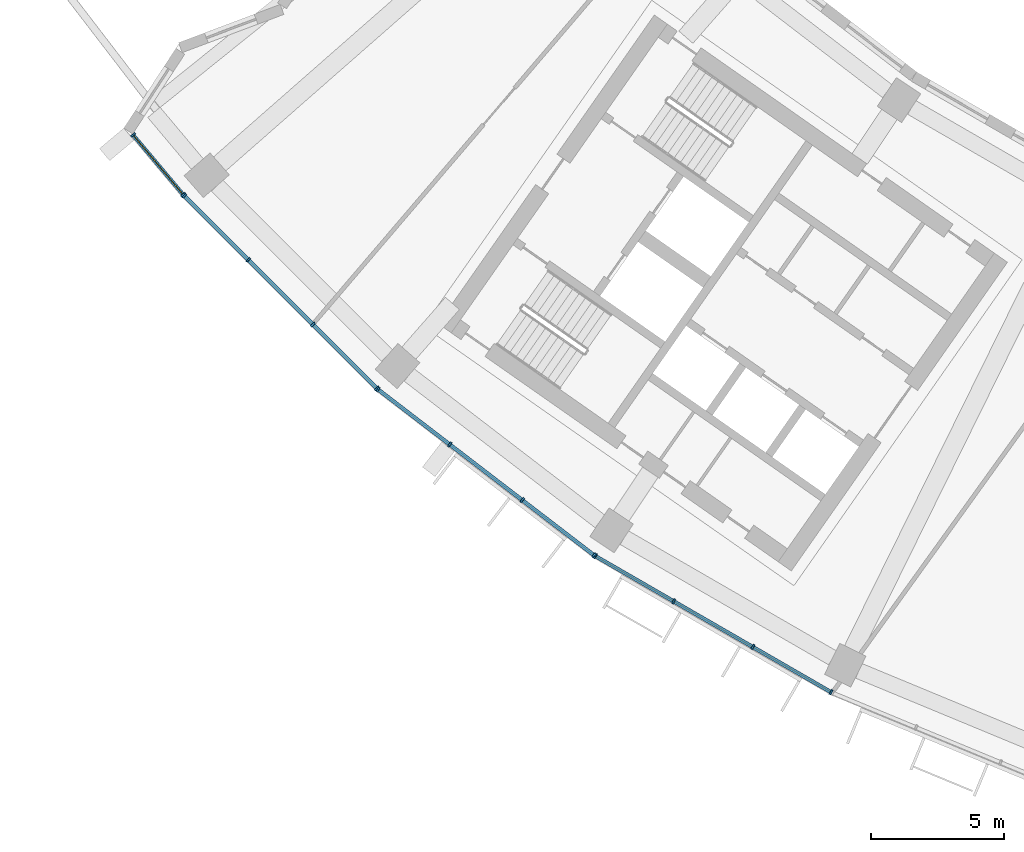
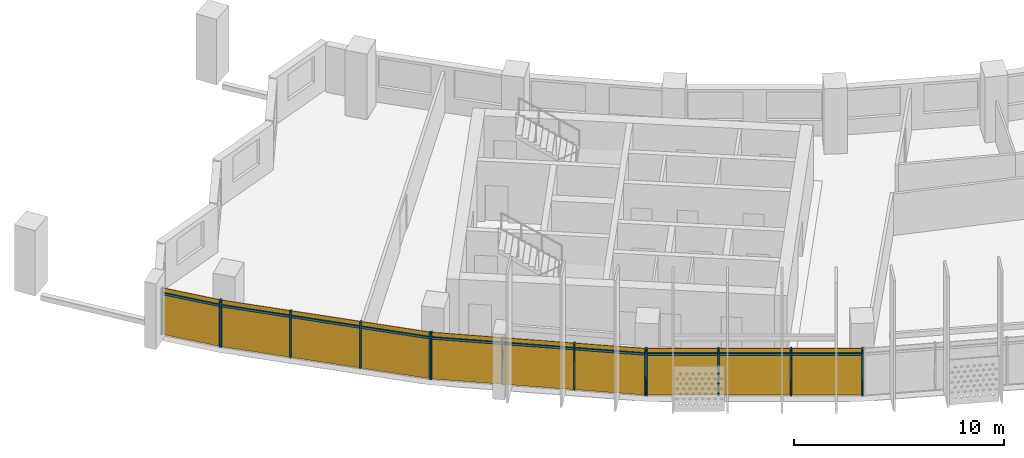
# One storey, part 19 of 27: 24 members, 4 curtain walls.
"""IFC4 building model written with IfcOpenShell, lengths in metres."""

from ifc_helpers import new_model, si_unit, direction, frame, origin, origin_2d, place, context, subcontext, project, spatial, rectangle, extrude, material, material_profile, profile_set, type_object, element, aggregate, save


model = new_model("IFC4")

# Units and contexts
model_context = context("Model", 3, precision=1e-05, world=origin(), true_north=direction((0.0, 1.0)))
body_context = subcontext(model_context, "Body", "Model", "MODEL_VIEW")
ifc_project = project(units=[si_unit("LENGTHUNIT", "METRE"), si_unit("AREAUNIT", "SQUARE_METRE"), si_unit("VOLUMEUNIT", "CUBIC_METRE"), si_unit("PLANEANGLEUNIT", "RADIAN"), si_unit("MASSUNIT", "GRAM", prefix="KILO")], contexts=[model_context])

# Member
ifc_material = material(Name="Aluminium 6063-T6 anodised", Category="aluminium")
ifc_material_profile_1 = material_profile(ifc_material, rectangle(XDim=0.199951171875, YDim=0.070068359375, at=origin_2d()))
ifc_profile_set_1 = profile_set([ifc_material_profile_1], Name="Aluminium 6063-T6 anodised")
member_type_1 = type_object("IfcMemberType", Name="Mullion 70 x 200 aluminium", PredefinedType="MULLION", material=ifc_profile_set_1)
site_placement = place(None, origin())
building_placement = place(site_placement, origin())
storey_placement = place(building_placement, frame((0.0, 0.0, 187.300048828125)))
member_1_placement = place(storey_placement, frame((-61.23291015625, -49.744140625, 0.0), z_axis=(0.0, 0.0, 1.0), x_axis=(0.765841780173, 0.643029056685, 0.0)))
member_1 = element("IfcMember", 1, at=member_1_placement, type_object=member_type_1, Name="e-cw1-L44-out00/M00", PredefinedType="MULLION", context=body_context, shape_type="SweptSolid", body=[
    extrude(rectangle(XDim=0.199951171875, YDim=0.070068359375, at=origin_2d()), origin(), (0.0, 0.0, 1.0), 2.699951171875),
])

member_2_placement = place(storey_placement, frame((-59.34130859375, -51.997314453125, 0.0), z_axis=(0.0, 0.0, 1.0), x_axis=(0.765841780173, 0.643029056685, 0.0)))
member_2 = element("IfcMember", 2, at=member_2_placement, type_object=member_type_1, Name="e-cw1-L44-out00/M01", PredefinedType="MULLION", context=body_context, shape_type="SweptSolid", body=[
    extrude(rectangle(XDim=0.199951171875, YDim=0.070068359375, at=origin_2d()), origin(), (0.0, 0.0, 1.0), 2.699951171875),
])

member_3_placement = place(storey_placement, frame((-59.2998046875, -52.042236328125, 0.0), z_axis=(0.0, 0.0, 1.0), x_axis=(0.707106781187, 0.707106781187, 0.0)))
member_3 = element("IfcMember", 3, at=member_3_placement, type_object=member_type_1, Name="e-cw1-L44-out01/M00", PredefinedType="MULLION", context=body_context, shape_type="SweptSolid", body=[
    extrude(rectangle(XDim=0.199951171875, YDim=0.070068359375, at=origin_2d()), origin(), (0.0, 0.0, 1.0), 2.699951171875),
])

member_4_placement = place(storey_placement, frame((-56.888916015625, -54.453369140625, 0.0), z_axis=(0.0, 0.0, 1.0), x_axis=(0.707106781187, 0.707106781187, 0.0)))
member_4 = element("IfcMember", 4, at=member_4_placement, type_object=member_type_1, Name="e-cw1-L44-out01/M01", PredefinedType="MULLION", context=body_context, shape_type="SweptSolid", body=[
    extrude(rectangle(XDim=0.199951171875, YDim=0.070068359375, at=origin_2d()), origin(), (0.0, 0.0, 1.0), 2.699951171875),
])

member_5_placement = place(storey_placement, frame((-54.453369140625, -56.888916015625, 0.0), z_axis=(0.0, 0.0, 1.0), x_axis=(0.707106781187, 0.707106781187, 0.0)))
member_5 = element("IfcMember", 5, at=member_5_placement, type_object=member_type_1, Name="e-cw1-L44-out01/M02", PredefinedType="MULLION", context=body_context, shape_type="SweptSolid", body=[
    extrude(rectangle(XDim=0.199951171875, YDim=0.070068359375, at=origin_2d()), origin(), (0.0, 0.0, 1.0), 2.699951171875),
])

member_6_placement = place(storey_placement, frame((-52.042236328125, -59.2998046875, 0.0), z_axis=(0.0, 0.0, 1.0), x_axis=(0.707106781187, 0.707106781187, 0.0)))
member_6 = element("IfcMember", 6, at=member_6_placement, type_object=member_type_1, Name="e-cw1-L44-out01/M03", PredefinedType="MULLION", context=body_context, shape_type="SweptSolid", body=[
    extrude(rectangle(XDim=0.199951171875, YDim=0.070068359375, at=origin_2d()), origin(), (0.0, 0.0, 1.0), 2.699951171875),
])

member_7_placement = place(storey_placement, frame((-51.999755859375, -59.33740234375, 0.0), z_axis=(0.0, 0.0, 1.0), x_axis=(0.608761429009, 0.793353340291, 0.0)))
member_7 = element("IfcMember", 7, at=member_7_placement, type_object=member_type_1, Name="e-cw1-L44-out02/M00", PredefinedType="MULLION", context=body_context, shape_type="SweptSolid", body=[
    extrude(rectangle(XDim=0.199951171875, YDim=0.070068359375, at=origin_2d()), origin(), (0.0, 0.0, 1.0), 2.699951171875),
])

member_8_placement = place(storey_placement, frame((-49.294677734375, -61.412841796875, 0.0), z_axis=(0.0, 0.0, 1.0), x_axis=(0.608761429009, 0.793353340291, 0.0)))
member_8 = element("IfcMember", 8, at=member_8_placement, type_object=member_type_1, Name="e-cw1-L44-out02/M01", PredefinedType="MULLION", context=body_context, shape_type="SweptSolid", body=[
    extrude(rectangle(XDim=0.199951171875, YDim=0.070068359375, at=origin_2d()), origin(), (0.0, 0.0, 1.0), 2.699951171875),
])

member_9_placement = place(storey_placement, frame((-46.56201171875, -63.509765625, 0.0), z_axis=(0.0, 0.0, 1.0), x_axis=(0.608761429009, 0.793353340291, 0.0)))
member_9 = element("IfcMember", 9, at=member_9_placement, type_object=member_type_1, Name="e-cw1-L44-out02/M02", PredefinedType="MULLION", context=body_context, shape_type="SweptSolid", body=[
    extrude(rectangle(XDim=0.199951171875, YDim=0.070068359375, at=origin_2d()), origin(), (0.0, 0.0, 1.0), 2.699951171875),
])

member_10_placement = place(storey_placement, frame((-43.85693359375, -65.58544921875, 0.0), z_axis=(0.0, 0.0, 1.0), x_axis=(0.608761429009, 0.793353340291, 0.0)))
member_10 = element("IfcMember", 10, at=member_10_placement, type_object=member_type_1, Name="e-cw1-L44-out02/M03", PredefinedType="MULLION", context=body_context, shape_type="SweptSolid", body=[
    extrude(rectangle(XDim=0.199951171875, YDim=0.070068359375, at=origin_2d()), origin(), (0.0, 0.0, 1.0), 2.699951171875),
])

member_11_placement = place(storey_placement, frame((-43.809814453125, -65.616943359375, 0.0), z_axis=(0.0, 0.0, 1.0), x_axis=(0.5, 0.866025403784, 0.0)))
member_11 = element("IfcMember", 11, at=member_11_placement, type_object=member_type_1, Name="e-cw1-L44-out03/M00", PredefinedType="MULLION", context=body_context, shape_type="SweptSolid", body=[
    extrude(rectangle(XDim=0.199951171875, YDim=0.070068359375, at=origin_2d()), origin(), (0.0, 0.0, 1.0), 2.699951171875),
])

member_12_placement = place(storey_placement, frame((-40.85693359375, -67.32177734375, 0.0), z_axis=(0.0, 0.0, 1.0), x_axis=(0.5, 0.866025403784, 0.0)))
member_12 = element("IfcMember", 12, at=member_12_placement, type_object=member_type_1, Name="e-cw1-L44-out03/M01", PredefinedType="MULLION", context=body_context, shape_type="SweptSolid", body=[
    extrude(rectangle(XDim=0.199951171875, YDim=0.070068359375, at=origin_2d()), origin(), (0.0, 0.0, 1.0), 2.699951171875),
])

member_13_placement = place(storey_placement, frame((-37.873779296875, -69.0439453125, 0.0), z_axis=(0.0, 0.0, 1.0), x_axis=(0.5, 0.866025403784, 0.0)))
member_13 = element("IfcMember", 13, at=member_13_placement, type_object=member_type_1, Name="e-cw1-L44-out03/M02", PredefinedType="MULLION", context=body_context, shape_type="SweptSolid", body=[
    extrude(rectangle(XDim=0.199951171875, YDim=0.070068359375, at=origin_2d()), origin(), (0.0, 0.0, 1.0), 2.699951171875),
])

member_14_placement = place(storey_placement, frame((-34.921142578125, -70.748779296875, 0.0), z_axis=(0.0, 0.0, 1.0), x_axis=(0.5, 0.866025403784, 0.0)))
member_14 = element("IfcMember", 14, at=member_14_placement, type_object=member_type_1, Name="e-cw1-L44-out03/M03", PredefinedType="MULLION", context=body_context, shape_type="SweptSolid", body=[
    extrude(rectangle(XDim=0.199951171875, YDim=0.070068359375, at=origin_2d()), origin(), (0.0, 0.0, 1.0), 2.699951171875),
])

ifc_material_profile_2 = material_profile(ifc_material, rectangle(XDim=0.139892578125, YDim=0.1201171875, at=origin_2d()))
ifc_profile_set_2 = profile_set([ifc_material_profile_2], Name="Aluminium 6063-T6 anodised")
member_type_2 = type_object("IfcMemberType", Name="Transom 120 x 140 aluminium", PredefinedType="USERDEFINED", material=ifc_profile_set_2)
member_15_placement = place(storey_placement, frame((-61.21044921875, -49.77099609375, 2.39990234375), z_axis=(0.643014632987, -0.765853890611, 0.0), x_axis=(0.765853890611, 0.643014632987, 0.0)))
member_15 = element("IfcMember", 15, at=member_15_placement, type_object=member_type_2, Name="e-cw1-L44-out00/T00", ObjectType="TRANSOM", PredefinedType="USERDEFINED", context=body_context, shape_type="SweptSolid", body=[
    extrude(rectangle(XDim=0.139892578125, YDim=0.1201171875, at=origin_2d()), origin(), (0.0, 0.0, 1.0), 2.871826171875),
])

member_16_placement = place(storey_placement, frame((-59.275146484375, -52.067138671875, 2.39990234375), z_axis=(0.707106781187, -0.707106781187, 0.0), x_axis=(0.707106781187, 0.707106781187, 0.0)))
member_16 = element("IfcMember", 16, at=member_16_placement, type_object=member_type_2, Name="e-cw1-L44-out01/T00", ObjectType="TRANSOM", PredefinedType="USERDEFINED", context=body_context, shape_type="SweptSolid", body=[
    extrude(rectangle(XDim=0.139892578125, YDim=0.1201171875, at=origin_2d()), origin(), (0.0, 0.0, 1.0), 3.33935546875),
])

member_17_placement = place(storey_placement, frame((-56.8642578125, -54.47802734375, 2.39990234375), z_axis=(0.707106781187, -0.707106781187, 0.0), x_axis=(0.707106781187, 0.707106781187, 0.0)))
member_17 = element("IfcMember", 17, at=member_17_placement, type_object=member_type_2, Name="e-cw1-L44-out01/T01", ObjectType="TRANSOM", PredefinedType="USERDEFINED", context=body_context, shape_type="SweptSolid", body=[
    extrude(rectangle(XDim=0.139892578125, YDim=0.1201171875, at=origin_2d()), origin(), (0.0, 0.0, 1.0), 3.374755859375),
])

member_18_placement = place(storey_placement, frame((-54.428466796875, -56.913818359375, 2.39990234375), z_axis=(0.707106781187, -0.707106781187, 0.0), x_axis=(0.707106781187, 0.707106781187, 0.0)))
member_18 = element("IfcMember", 18, at=member_18_placement, type_object=member_type_2, Name="e-cw1-L44-out01/T02", ObjectType="TRANSOM", PredefinedType="USERDEFINED", context=body_context, shape_type="SweptSolid", body=[
    extrude(rectangle(XDim=0.139892578125, YDim=0.1201171875, at=origin_2d()), origin(), (0.0, 0.0, 1.0), 3.33935546875),
])

member_19_placement = place(storey_placement, frame((-51.971923828125, -59.358642578125, 2.39990234375), z_axis=(0.793354486861, -0.608759934767, 0.0), x_axis=(0.608759934767, 0.793354486861, 0.0)))
member_19 = element("IfcMember", 19, at=member_19_placement, type_object=member_type_2, Name="e-cw1-L44-out02/T00", ObjectType="TRANSOM", PredefinedType="USERDEFINED", context=body_context, shape_type="SweptSolid", body=[
    extrude(rectangle(XDim=0.139892578125, YDim=0.1201171875, at=origin_2d()), origin(), (0.0, 0.0, 1.0), 3.339599609375),
])

member_20_placement = place(storey_placement, frame((-49.266845703125, -61.434326171875, 2.39990234375), z_axis=(0.793371081522, -0.608738307489, 0.0), x_axis=(0.608738307489, 0.793371081522, 0.0)))
member_20 = element("IfcMember", 20, at=member_20_placement, type_object=member_type_2, Name="e-cw1-L44-out02/T01", ObjectType="TRANSOM", PredefinedType="USERDEFINED", context=body_context, shape_type="SweptSolid", body=[
    extrude(rectangle(XDim=0.139892578125, YDim=0.1201171875, at=origin_2d()), origin(), (0.0, 0.0, 1.0), 3.37451171875),
])

member_21_placement = place(storey_placement, frame((-46.5341796875, -63.53125, 2.39990234375), z_axis=(0.793354486861, -0.608759934767, 0.0), x_axis=(0.608759934767, 0.793354486861, 0.0)))
member_21 = element("IfcMember", 21, at=member_21_placement, type_object=member_type_2, Name="e-cw1-L44-out02/T02", ObjectType="TRANSOM", PredefinedType="USERDEFINED", context=body_context, shape_type="SweptSolid", body=[
    extrude(rectangle(XDim=0.139892578125, YDim=0.1201171875, at=origin_2d()), origin(), (0.0, 0.0, 1.0), 3.339599609375),
])

member_22_placement = place(storey_placement, frame((-43.779541015625, -65.634521484375, 2.39990234375), z_axis=(0.866052898888, -0.49995237406, 0.0), x_axis=(0.49995237406, 0.866052898888, 0.0)))
member_22 = element("IfcMember", 22, at=member_22_placement, type_object=member_type_2, Name="e-cw1-L44-out03/T00", ObjectType="TRANSOM", PredefinedType="USERDEFINED", context=body_context, shape_type="SweptSolid", body=[
    extrude(rectangle(XDim=0.139892578125, YDim=0.1201171875, at=origin_2d()), origin(), (0.0, 0.0, 1.0), 3.339599609375),
])

member_23_placement = place(storey_placement, frame((-40.82666015625, -67.33935546875, 2.39990234375), z_axis=(0.86602172966, -0.500006363716, 0.0), x_axis=(0.500006363716, 0.86602172966, 0.0)))
member_23 = element("IfcMember", 23, at=member_23_placement, type_object=member_type_2, Name="e-cw1-L44-out03/T01", ObjectType="TRANSOM", PredefinedType="USERDEFINED", context=body_context, shape_type="SweptSolid", body=[
    extrude(rectangle(XDim=0.139892578125, YDim=0.1201171875, at=origin_2d()), origin(), (0.0, 0.0, 1.0), 3.37451171875),
])

member_24_placement = place(storey_placement, frame((-37.843505859375, -69.0615234375, 2.39990234375), z_axis=(0.866002968352, -0.500038857296, 0.0), x_axis=(0.500038857296, 0.866002968352, 0.0)))
member_24 = element("IfcMember", 24, at=member_24_placement, type_object=member_type_2, Name="e-cw1-L44-out03/T02", ObjectType="TRANSOM", PredefinedType="USERDEFINED", context=body_context, shape_type="SweptSolid", body=[
    extrude(rectangle(XDim=0.139892578125, YDim=0.1201171875, at=origin_2d()), origin(), (0.0, 0.0, 1.0), 3.339599609375),
])

# Site, building, storey
site = spatial("IfcSite", under=ifc_project, at=site_placement, CompositionType="ELEMENT")
building = spatial("IfcBuilding", under=site, at=building_placement, Name="Qamariyya Broadcast Tower", CompositionType="ELEMENT")
storey = spatial("IfcBuildingStorey", under=building, at=storey_placement, Name="L44", CompositionType="ELEMENT", Elevation=187.300048828125)

# Curtain wall
curtain_wall_type = type_object("IfcCurtainWallType", Name="Unitised curtain wall, anodised aluminium", PredefinedType="NOTDEFINED", material=ifc_material)
curtain_wall_1_placement = place(storey_placement, origin())
curtain_wall_1 = element("IfcCurtainWall", 25, at=curtain_wall_1_placement, inside=storey, type_object=curtain_wall_type, Name="e-cw1-L44-out00", PredefinedType="NOTDEFINED", context=body_context, shape_type="SweptSolid", body=[
    extrude(rectangle(XDim=2.871826171875, YDim=0.031982421875, at=origin_2d()), frame((-60.287109375, -50.87060546875, 0.0), x_axis=(0.643034290725, -0.765837385449, 0.0)), (0.0, 0.0, 1.0), 2.340087890625),
    extrude(rectangle(XDim=2.871826171875, YDim=0.031982421875, at=origin_2d()), frame((-60.287109375, -50.87060546875, 2.4599609375), x_axis=(0.643034290725, -0.765837385449, 0.0)), (0.0, 0.0, 1.0), 0.239990234375),
])

aggregate(curtain_wall_1, [member_1, member_2, member_15])

curtain_wall_2_placement = place(storey_placement, origin())
curtain_wall_2 = element("IfcCurtainWall", 26, at=curtain_wall_2_placement, inside=storey, type_object=curtain_wall_type, Name="e-cw1-L44-out01", PredefinedType="NOTDEFINED", context=body_context, shape_type="SweptSolid", body=[
    extrude(rectangle(XDim=3.339599609375, YDim=0.031982421875, at=origin_2d()), frame((-58.094482421875, -53.247802734375, 0.0), x_axis=(0.707106781187, -0.707106781187, 0.0)), (0.0, 0.0, 1.0), 2.340087890625),
    extrude(rectangle(XDim=3.339599609375, YDim=0.031982421875, at=origin_2d()), frame((-58.094482421875, -53.247802734375, 2.4599609375), x_axis=(0.707106781187, -0.707106781187, 0.0)), (0.0, 0.0, 1.0), 0.239990234375),
    extrude(rectangle(XDim=3.37451171875, YDim=0.031982421875, at=origin_2d()), frame((-55.671142578125, -55.671142578125, 0.0), x_axis=(0.707106781187, -0.707106781187, 0.0)), (0.0, 0.0, 1.0), 2.340087890625),
    extrude(rectangle(XDim=3.37451171875, YDim=0.031982421875, at=origin_2d()), frame((-55.671142578125, -55.671142578125, 2.4599609375), x_axis=(0.707106781187, -0.707106781187, 0.0)), (0.0, 0.0, 1.0), 0.239990234375),
    extrude(rectangle(XDim=3.339599609375, YDim=0.031982421875, at=origin_2d()), frame((-53.247802734375, -58.094482421875, 0.0), x_axis=(0.707106781187, -0.707106781187, 0.0)), (0.0, 0.0, 1.0), 2.340087890625),
    extrude(rectangle(XDim=3.339599609375, YDim=0.031982421875, at=origin_2d()), frame((-53.247802734375, -58.094482421875, 2.4599609375), x_axis=(0.707106781187, -0.707106781187, 0.0)), (0.0, 0.0, 1.0), 0.239990234375),
])

aggregate(curtain_wall_2, [member_3, member_4, member_5, member_6, member_16, member_17, member_18])

curtain_wall_3_placement = place(storey_placement, origin())
curtain_wall_3 = element("IfcCurtainWall", 27, at=curtain_wall_3_placement, inside=storey, type_object=curtain_wall_type, Name="e-cw1-L44-out02", PredefinedType="NOTDEFINED", context=body_context, shape_type="SweptSolid", body=[
    extrude(rectangle(XDim=3.339599609375, YDim=0.031982421875, at=origin_2d()), frame((-50.64697265625, -60.375, 0.0), x_axis=(0.793351517557, -0.608763804434, 0.0)), (0.0, 0.0, 1.0), 2.340087890625),
    extrude(rectangle(XDim=3.339599609375, YDim=0.031982421875, at=origin_2d()), frame((-50.64697265625, -60.375, 2.4599609375), x_axis=(0.793351517557, -0.608763804434, 0.0)), (0.0, 0.0, 1.0), 0.239990234375),
    extrude(rectangle(XDim=3.37451171875, YDim=0.031982421875, at=origin_2d()), frame((-47.92822265625, -62.46142578125, 0.0), x_axis=(0.793351517557, -0.608763804434, 0.0)), (0.0, 0.0, 1.0), 2.340087890625),
    extrude(rectangle(XDim=3.37451171875, YDim=0.031982421875, at=origin_2d()), frame((-47.92822265625, -62.46142578125, 2.4599609375), x_axis=(0.793351517557, -0.608763804434, 0.0)), (0.0, 0.0, 1.0), 0.239990234375),
    extrude(rectangle(XDim=3.339599609375, YDim=0.031982421875, at=origin_2d()), frame((-45.20947265625, -64.547607421875, 0.0), x_axis=(0.793351517557, -0.608763804434, 0.0)), (0.0, 0.0, 1.0), 2.340087890625),
    extrude(rectangle(XDim=3.339599609375, YDim=0.031982421875, at=origin_2d()), frame((-45.20947265625, -64.547607421875, 2.4599609375), x_axis=(0.793351517557, -0.608763804434, 0.0)), (0.0, 0.0, 1.0), 0.239990234375),
])

aggregate(curtain_wall_3, [member_7, member_8, member_9, member_10, member_19, member_20, member_21])

curtain_wall_4_placement = place(storey_placement, origin())
curtain_wall_4 = element("IfcCurtainWall", 28, at=curtain_wall_4_placement, inside=storey, type_object=curtain_wall_type, Name="e-cw1-L44-out03", PredefinedType="NOTDEFINED", context=body_context, shape_type="SweptSolid", body=[
    extrude(rectangle(XDim=3.339599609375, YDim=0.031982421875, at=origin_2d()), frame((-42.33349609375, -66.469482421875, 0.0), x_axis=(0.866028999376, -0.499993772201, 0.0)), (0.0, 0.0, 1.0), 2.340087890625),
    extrude(rectangle(XDim=3.339599609375, YDim=0.031982421875, at=origin_2d()), frame((-42.33349609375, -66.469482421875, 2.4599609375), x_axis=(0.866028999376, -0.499993772201, 0.0)), (0.0, 0.0, 1.0), 0.239990234375),
    extrude(rectangle(XDim=3.37451171875, YDim=0.031982421875, at=origin_2d()), frame((-39.365478515625, -68.18310546875, 0.0), x_axis=(0.866028999376, -0.499993772201, 0.0)), (0.0, 0.0, 1.0), 2.340087890625),
    extrude(rectangle(XDim=3.37451171875, YDim=0.031982421875, at=origin_2d()), frame((-39.365478515625, -68.18310546875, 2.4599609375), x_axis=(0.866028999376, -0.499993772201, 0.0)), (0.0, 0.0, 1.0), 0.239990234375),
    extrude(rectangle(XDim=3.339599609375, YDim=0.031982421875, at=origin_2d()), frame((-36.3974609375, -69.896484375, 0.0), x_axis=(0.866028999376, -0.499993772201, 0.0)), (0.0, 0.0, 1.0), 2.340087890625),
    extrude(rectangle(XDim=3.339599609375, YDim=0.031982421875, at=origin_2d()), frame((-36.3974609375, -69.896484375, 2.4599609375), x_axis=(0.866028999376, -0.499993772201, 0.0)), (0.0, 0.0, 1.0), 0.239990234375),
])

aggregate(curtain_wall_4, [member_11, member_12, member_13, member_14, member_22, member_23, member_24])

save(model, "model.ifc")
